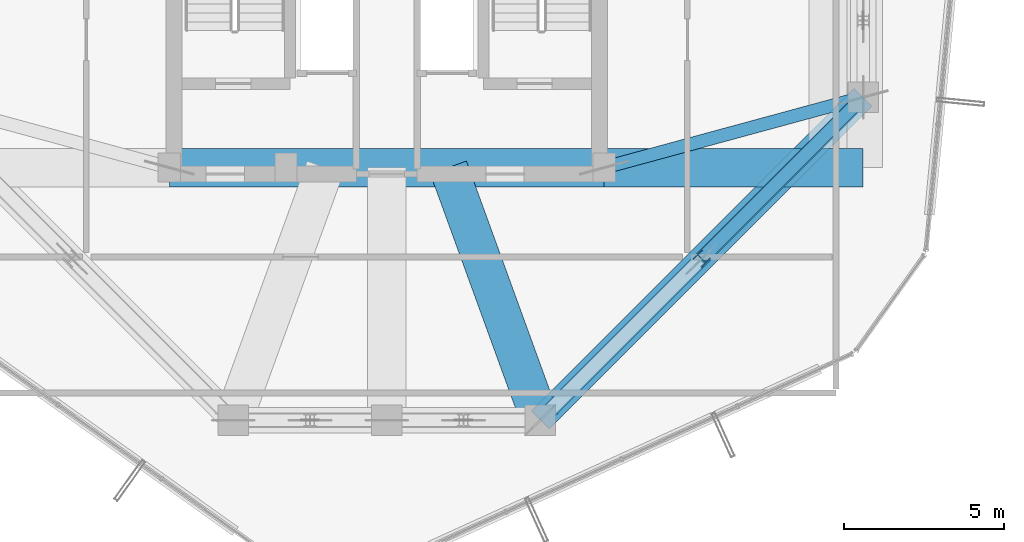
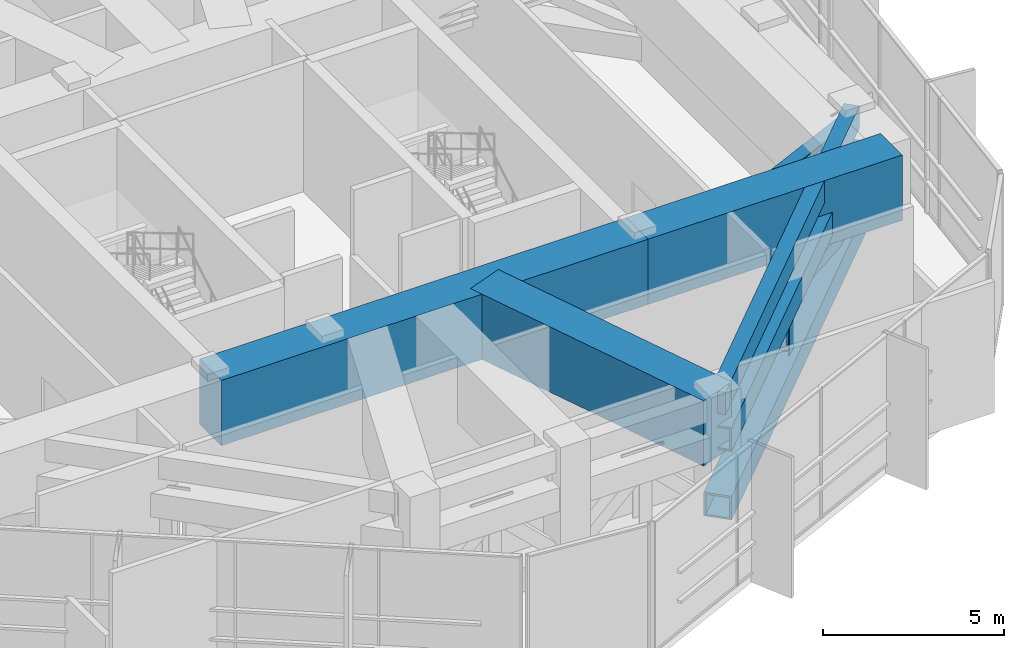
# One storey, part 9 of 31: 5 members, 4 beams.
"""IFC4 building model written with IfcOpenShell, lengths in metres."""

from ifc_helpers import new_model, si_unit, direction, frame, origin, origin_2d, place, context, subcontext, project, spatial, rectangle, hollow_rectangle, i_section, extrude, material, material_profile, profile_set, type_object, element, save


model = new_model("IFC4")

# Units and contexts
model_context = context("Model", 3, precision=1e-05, world=origin(), true_north=direction((0.0, 1.0)))
body_context = subcontext(model_context, "Body", "Model", "MODEL_VIEW")
ifc_project = project(units=[si_unit("LENGTHUNIT", "METRE"), si_unit("AREAUNIT", "SQUARE_METRE"), si_unit("VOLUMEUNIT", "CUBIC_METRE"), si_unit("PLANEANGLEUNIT", "RADIAN"), si_unit("MASSUNIT", "GRAM", prefix="KILO")], contexts=[model_context])

# Site, building, storey
site_placement = place(None, origin())
site = spatial("IfcSite", under=ifc_project, at=site_placement, CompositionType="ELEMENT")
building_placement = place(site_placement, origin())
building = spatial("IfcBuilding", under=site, at=building_placement, Name="Veraguas Prism Commons", CompositionType="ELEMENT")
storey_placement = place(building_placement, frame((0.0, 0.0, 225.39990234375)))
storey = spatial("IfcBuildingStorey", under=building, at=storey_placement, Name="L64", CompositionType="ELEMENT", Elevation=225.39990234375)

# Members
ifc_material_1 = material(Name="Steel ASTM A913 Grade 65", Category="steel")
ifc_material_profile_1 = material_profile(ifc_material_1, hollow_rectangle(XDim=0.800048828125, YDim=0.800048828125, WallThickness=0.06005859375, at=origin_2d()), Name="BOX800X800X60")
ifc_profile_set_1 = profile_set([ifc_material_profile_1], Name="Steel ASTM A913 Grade 65")
member_type_1 = type_object("IfcMemberType", Name="Belt Truss Chord L64 Box 800x800x60", PredefinedType="CHORD", material=ifc_profile_set_1)
for number, where, z_axis, x_axis, name in (
    (1, (28.800048828125, 9.10009765625, 0.550048828125), (0.707106781187, 0.707106781187, 0.0), (-0.707106781187, 0.707106781187, 0.0), "Perimeter Belt Truss Chord Bottom L64-12"),
    (2, (28.800048828125, 9.10009765625, 2.864990234375), (0.707106781187, 0.707106781187, 0.0), (-0.707106781187, 0.707106781187, 0.0), "Perimeter Belt Truss Chord Top L64-12"),
):
    element("IfcMember", number, at=place(storey_placement, frame(where, z_axis=z_axis, x_axis=x_axis)), inside=storey, type_object=member_type_1, Name=name, PredefinedType="CHORD", context=body_context, shape_type="SweptSolid", body=[
        extrude(hollow_rectangle(XDim=0.800048828125, YDim=0.800048828125, WallThickness=0.06005859375, at=origin_2d()), origin(), (0.0, 0.0, 1.0), 14.283447265625),
    ])
ifc_material_2 = material(Name="Steel ASTM A992 Grade 50", Category="steel")
ifc_material_profile_2 = material_profile(ifc_material_2, i_section(OverallWidth=0.39794921875, OverallDepth=0.386962890625, WebThickness=0.01904296875, FlangeThickness=0.0302734375, at=origin_2d()), Name="W360X262")
ifc_profile_set_2 = profile_set([ifc_material_profile_2], Name="Steel ASTM A992 Grade 50")
member_type_2 = type_object("IfcMemberType", Name="Belt Truss Vertical Strut W360x262", PredefinedType="STRUT", material=ifc_profile_set_2)
member_1_placement = place(storey_placement, frame((33.85009765625, 14.14990234375, 0.550048828125), z_axis=(0.0, 0.0, 1.0), x_axis=(0.707106781187, 0.707106781187, 0.0)))
element("IfcMember", 3, at=member_1_placement, inside=storey, type_object=member_type_2, Name="Perimeter Belt Truss Strut L64-12", PredefinedType="STRUT", context=body_context, shape_type="SweptSolid", body=[
    extrude(i_section(OverallWidth=0.39794921875, OverallDepth=0.386962890625, WebThickness=0.01904296875, FlangeThickness=0.0302734375, at=origin_2d()), origin(), (0.0, 0.0, 1.0), 2.31494140625),
])
ifc_material_profile_3 = material_profile(ifc_material_2, i_section(OverallWidth=0.408935546875, OverallDepth=0.425048828125, WebThickness=0.030517578125, FlangeThickness=0.049072265625, at=origin_2d()), Name="W360X421")
ifc_profile_set_3 = profile_set([ifc_material_profile_3], Name="Steel ASTM A992 Grade 50")
member_type_3 = type_object("IfcMemberType", Name="Outrigger Truss Diagonal W360x421", PredefinedType="BRACE", material=ifc_profile_set_3)
member_2_placement = place(storey_placement, frame((30.800048828125, 17.0, 2.420166015625), z_axis=(0.950476214414, 0.258152972483, 0.173066486158), x_axis=(-0.262108146725, 0.965038506703, 0.0)))
element("IfcMember", 4, at=member_2_placement, inside=storey, type_object=member_type_3, Name="Outrigger Truss Diagonal L64-01", PredefinedType="BRACE", context=body_context, shape_type="SweptSolid", body=[
    extrude(i_section(OverallWidth=0.408935546875, OverallDepth=0.425048828125, WebThickness=0.030517578125, FlangeThickness=0.049072265625, at=origin_2d()), origin(), (0.0, 0.0, 1.0), 8.52197265625),
])

# Beams
ifc_material_3 = material(Name="Concrete C50/60", Category="concrete")
ifc_material_profile_4 = material_profile(ifc_material_3, rectangle(XDim=0.449951171875, YDim=0.75, at=origin_2d()), Name="RC450X750")
ifc_profile_set_4 = profile_set([ifc_material_profile_4], Name="Concrete C50/60")
beam_type_1 = type_object("IfcBeamType", Name="Perimeter Spandrel Upper RC 450x750", PredefinedType="SPANDREL", material=ifc_profile_set_4)
beam_1_placement = place(storey_placement, frame((28.800048828125, 9.10009765625, 4.0400390625), z_axis=(0.707106781187, 0.707106781187, 0.0), x_axis=(-0.707106781187, 0.707106781187, 0.0)))
element("IfcBeam", 5, at=beam_1_placement, inside=storey, type_object=beam_type_1, Name="Perimeter Spandrel Beam L64-SP12", PredefinedType="SPANDREL", context=body_context, shape_type="SweptSolid", body=[
    extrude(rectangle(XDim=0.449951171875, YDim=0.75, at=origin_2d()), origin(), (0.0, 0.0, 1.0), 14.283447265625),
])
ifc_material_profile_5 = material_profile(ifc_material_3, rectangle(XDim=1.199951171875, YDim=2.199951171875, at=origin_2d()), Name="RC1200X2200")
ifc_profile_set_5 = profile_set([ifc_material_profile_5], Name="Concrete C50/60")
beam_type_2 = type_object("IfcBeamType", Name="Podium Transfer Girder RC 1200x2200", PredefinedType="BEAM", material=ifc_profile_set_5)
beam_2_placement = place(storey_placement, frame((17.199951171875, 17.0, 3.315185546875), z_axis=(1.0, 0.0, 0.0), x_axis=(0.0, 1.0, 0.0)))
element("IfcBeam", 6, at=beam_2_placement, inside=storey, type_object=beam_type_2, Name="Core South Transfer Girder L64", PredefinedType="BEAM", context=body_context, shape_type="SweptSolid", body=[
    extrude(rectangle(XDim=1.199951171875, YDim=2.199951171875, at=origin_2d()), origin(), (0.0, 0.0, 1.0), 13.60009765625),
])
beam_3_placement = place(storey_placement, frame((38.89990234375, 17.0, 3.315185546875), z_axis=(-1.0, 0.0, 0.0), x_axis=(0.0, -1.0, 0.0)))
element("IfcBeam", 7, at=beam_3_placement, inside=storey, type_object=beam_type_2, Name="Outrigger Transfer Girder L64-XSE", PredefinedType="BEAM", context=body_context, shape_type="SweptSolid", body=[
    extrude(rectangle(XDim=1.199951171875, YDim=2.199951171875, at=origin_2d()), origin(), (0.0, 0.0, 1.0), 8.099853515625),
])
beam_4_placement = place(storey_placement, frame((28.800048828125, 9.10009765625, 3.315185546875), z_axis=(-0.341754722855, 0.939789183491, 0.0), x_axis=(-0.939789183491, -0.341754722855, 0.0)))
element("IfcBeam", 8, at=beam_4_placement, inside=storey, type_object=beam_type_2, Name="Setback Transfer Girder L64-12", PredefinedType="BEAM", context=body_context, shape_type="SweptSolid", body=[
    extrude(rectangle(XDim=1.199951171875, YDim=2.199951171875, at=origin_2d()), origin(), (0.0, 0.0, 1.0), 8.406005859375),
])

# Member
ifc_material_4 = material(Name="Steel ASTM A500 Grade C", Category="steel")
ifc_material_profile_6 = material_profile(ifc_material_4, hollow_rectangle(XDim=0.39990234375, YDim=0.39990234375, WallThickness=0.02001953125, at=origin_2d()), Name="HSS400X400X20")
ifc_profile_set_6 = profile_set([ifc_material_profile_6], Name="Steel ASTM A500 Grade C")
member_type_4 = type_object("IfcMemberType", Name="Wind Portal V-Brace HSS 400x400x20", PredefinedType="BRACE", material=ifc_profile_set_6)
member_3_placement = place(storey_placement, frame((38.89990234375, 19.199951171875, 0.550048828125), z_axis=(-0.672635146231, -0.672667665819, 0.308350727933), x_axis=(0.707123873653, -0.707089688307, 0.0)))
element("IfcMember", 9, at=member_3_placement, inside=storey, type_object=member_type_4, Name="Perimeter Belt Truss Brace L64-12B", PredefinedType="BRACE", context=body_context, shape_type="SweptSolid", body=[
    extrude(hollow_rectangle(XDim=0.39990234375, YDim=0.39990234375, WallThickness=0.02001953125, at=origin_2d()), origin(), (0.0, 0.0, 1.0), 7.507568359375),
])

save(model, "model.ifc")
